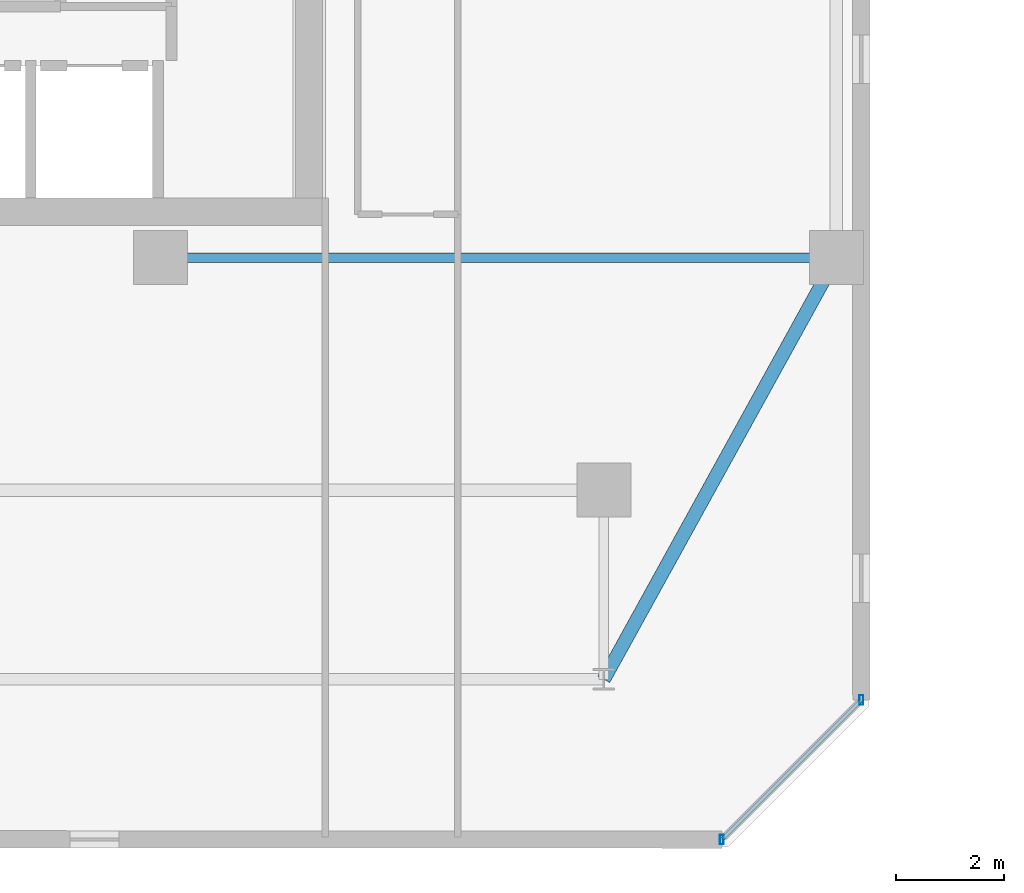
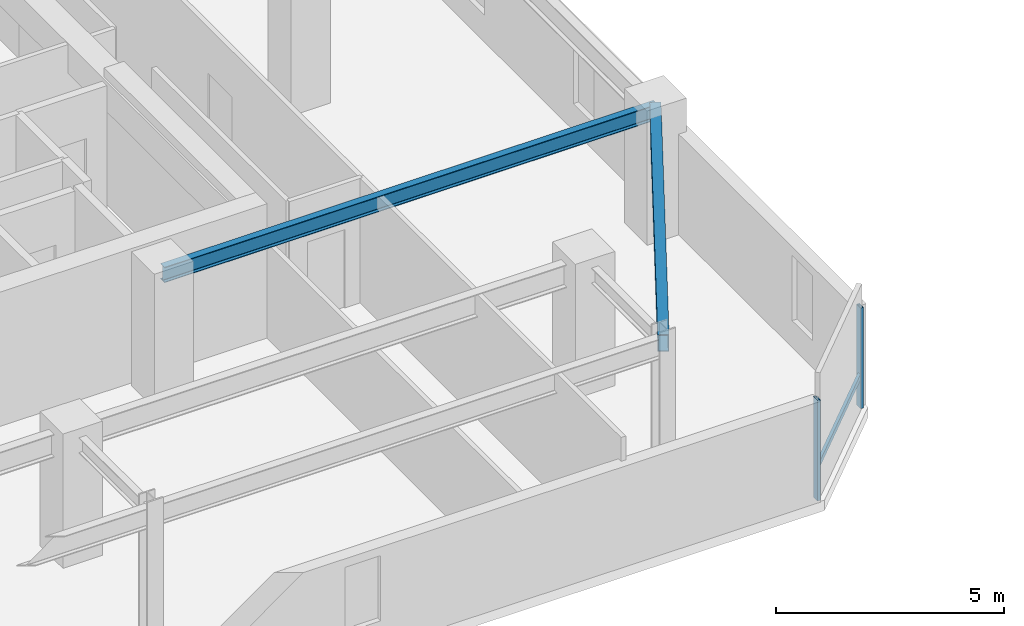
# One storey, part 5 of 31: 3 members, 2 beams, 1 element without a shape of its own.
"""IFC4 building model written with IfcOpenShell, lengths in metres."""

import ifcopenshell
import ifcopenshell.guid

model = None  # the IFC model being written
_history = None  # IfcOwnerHistory: only IFC2X3 demands one
_inside = {}  # id of a spatial element -> (the spatial element, [elements in it])
_under = {}  # id of a project, library or spatial element -> (it, [spatial elements below it])
_declared = {}  # id of a project -> (the project, [libraries it declares])
_typed = {}  # id of a type object -> (the type object, [elements of that type])
_made_of = {}  # id of a material, layer set ... -> (it, [elements and type objects made of it])


def new_model(schema):
    """Start an empty IFC model of exactly this schema.

    Asked for "IFC4X3", IfcOpenShell would pick the latest addendum, in which some entities
    have other attributes; the version numbers below select the first issue.
    IFC2X3 requires an IfcOwnerHistory on every rooted entity: one is made here for all.
    """
    global model, _history
    if schema == "IFC4X3":
        model = ifcopenshell.file(schema_version=(4, 3, 0, 0))
    else:
        model = ifcopenshell.file(schema=schema)
    _inside.clear()
    _under.clear()
    _declared.clear()
    _typed.clear()
    _made_of.clear()
    _history = None
    if model.schema == "IFC2X3":
        org = make("IfcOrganization", Name="unknown")
        user = make(
            "IfcPersonAndOrganization",
            ThePerson=make("IfcPerson", FamilyName="unknown"),
            TheOrganization=org,
        )
        app = make(
            "IfcApplication",
            ApplicationDeveloper=org,
            Version="unknown",
            ApplicationFullName="unknown",
            ApplicationIdentifier="unknown",
        )
        _history = make(
            "IfcOwnerHistory",
            OwningUser=user,
            OwningApplication=app,
            ChangeAction="ADDED",
            CreationDate=0,
        )
    return model


def make(cls, **values):
    """One entity of the class cls with the attributes given. An attribute that is None is left unset."""
    return model.create_entity(
        cls, **{name: value for name, value in values.items() if value is not None}
    )


def rooted(cls, **values):
    """An entity with a GlobalId (a new one), such as an element, a storey or a relation."""
    return make(cls, GlobalId=ifcopenshell.guid.new(), OwnerHistory=_history, **values)


def si_unit(unit_type, name, prefix=None):
    """IfcSIUnit, for example si_unit("LENGTHUNIT", "METRE", prefix="MILLI")."""
    return make("IfcSIUnit", UnitType=unit_type, Prefix=prefix, Name=name)


def assignment(units):
    """IfcUnitAssignment: the units of a project."""
    return None if units is None else make("IfcUnitAssignment", Units=units)


def point(xyz):
    """IfcCartesianPoint."""
    return None if xyz is None else make("IfcCartesianPoint", Coordinates=xyz)


def direction(xyz):
    """IfcDirection."""
    return None if xyz is None else make("IfcDirection", DirectionRatios=xyz)


def frame(location, z_axis=None, x_axis=None):
    """IfcAxis2Placement3D, a coordinate frame: its origin and axes. An axis left out is left unset."""
    return make(
        "IfcAxis2Placement3D",
        Location=point(location),
        Axis=direction(z_axis),
        RefDirection=direction(x_axis),
    )


def frame_2d(location, x_axis=None):
    """IfcAxis2Placement2D, a coordinate frame in the plane: its origin and x axis."""
    return make(
        "IfcAxis2Placement2D", Location=point(location), RefDirection=direction(x_axis)
    )


def origin():
    """The frame at (0, 0, 0) with its axes left unset."""
    return frame((0.0, 0.0, 0.0))


def origin_2d():
    """The frame at (0, 0) in the plane with its x axis left unset."""
    return frame_2d((0.0, 0.0))


def place(relative_to, where):
    """IfcLocalPlacement: puts the frame where relative to a parent placement (None: the world)."""
    return make(
        "IfcLocalPlacement", PlacementRelTo=relative_to, RelativePlacement=where
    )


def context(
    kind, dimensions, precision=None, world=None, true_north=None, identifier=None
):
    """IfcGeometricRepresentationContext, for example the 3D "Model" context."""
    return make(
        "IfcGeometricRepresentationContext",
        ContextIdentifier=identifier,
        ContextType=kind,
        CoordinateSpaceDimension=dimensions,
        Precision=precision,
        WorldCoordinateSystem=world,
        TrueNorth=true_north,
    )


def subcontext(parent, identifier, kind, view, scale=None):
    """IfcGeometricRepresentationSubContext, for example "Body" below "Model"."""
    return make(
        "IfcGeometricRepresentationSubContext",
        ContextIdentifier=identifier,
        ContextType=kind,
        ParentContext=parent,
        TargetScale=scale,
        TargetView=view,
    )


def project(units=None, contexts=None):
    """IfcProject with its units and contexts."""
    return rooted(
        "IfcProject",
        Name="project",
        RepresentationContexts=contexts,
        UnitsInContext=assignment(units),
    )


def spatial(cls, under=None, at=None, **own):
    """A site, building, storey or space (cls), placed at a placement, below another one or the project."""
    s = rooted(cls, ObjectPlacement=at, **own)
    if under is not None:
        _under.setdefault(under.id(), (under, []))[1].append(s)
    return s


def profile(cls, at=None, kind="AREA", **sizes):
    """A parametric profile (cls). Its sizes go by their IFC names, for example OverallWidth=200.0."""
    return make(cls, ProfileType=kind, Position=at, **sizes)


def hollow_rectangle(**sizes):
    """IfcRectangleHollowProfileDef."""
    return profile("IfcRectangleHollowProfileDef", **sizes)


def i_section(**sizes):
    """IfcIShapeProfileDef."""
    return profile("IfcIShapeProfileDef", **sizes)


def extrude(swept, where, along, depth):
    """IfcExtrudedAreaSolid: the profile swept, set in the frame where, extruded along a direction by depth."""
    return make(
        "IfcExtrudedAreaSolid",
        SweptArea=swept,
        Position=where,
        ExtrudedDirection=direction(along),
        Depth=depth,
    )


def shape(context_of_items, identifier, shape_type, items):
    """IfcShapeRepresentation: the items that make up one representation, for example the "Body"."""
    return make(
        "IfcShapeRepresentation",
        ContextOfItems=context_of_items,
        RepresentationIdentifier=identifier,
        RepresentationType=shape_type,
        Items=items,
    )


def material(Name=None, Category=None):
    """IfcMaterial."""
    return make("IfcMaterial", Name=Name, Category=Category)


def material_profile(
    of_material, cross_section, Name=None, Category=None, Priority=None
):
    """IfcMaterialProfile: a cross section and its material."""
    return make(
        "IfcMaterialProfile",
        Name=Name,
        Material=of_material,
        Profile=cross_section,
        Priority=Priority,
        Category=Category,
    )


def profile_set(profiles, Name=None, composite=None):
    """IfcMaterialProfileSet."""
    return make(
        "IfcMaterialProfileSet",
        Name=Name,
        MaterialProfiles=profiles,
        CompositeProfile=composite,
    )


def made_of(thing, what):
    """Note that an element or type object is made of a material, layer set ...; save() writes the relation."""
    if what is not None:
        _made_of.setdefault(what.id(), (what, []))[1].append(thing)
    return thing


def type_object(cls, material=None, **own):
    """A type object (cls), such as IfcWallType, which elements share."""
    return made_of(rooted(cls, **own), material)


def element(
    cls,
    number,
    at=None,
    inside=None,
    cuts=None,
    type_object=None,
    material=None,
    context=None,
    identifier="Body",
    shape_type=None,
    held_by="IfcProductDefinitionShape",
    body=None,
    shapes=None,
    **own,
):
    """One element of the class cls, such as IfcWall. Its Tag is "e" and its number.

    at: its placement. inside: the storey or other place that contains it. cuts: it is an
    opening in that element (IfcRelVoidsElement). A single representation is given by context,
    identifier, shape_type and body (its items); several are given by shapes. held_by: the class
    of the entity that holds the representations. save() writes the other relations.
    """
    e = rooted(cls, Tag="e%d" % number, ObjectPlacement=at, **own)
    if body is not None:
        shapes = [shape(context, identifier, shape_type, body)]
    if shapes is not None:
        e.Representation = make(held_by, Representations=shapes)
    if inside is not None:
        _inside.setdefault(inside.id(), (inside, []))[1].append(e)
    if cuts is not None:
        rooted(
            "IfcRelVoidsElement", RelatingBuildingElement=cuts, RelatedOpeningElement=e
        )
    if type_object is not None:
        _typed.setdefault(type_object.id(), (type_object, []))[1].append(e)
    return made_of(e, material)


def aggregate(whole, parts):
    """IfcRelAggregates: a whole, such as a stair, and the parts it consists of."""
    return rooted("IfcRelAggregates", RelatingObject=whole, RelatedObjects=parts)


def save(model, path):
    """Write the relations noted so far, then the file.

    IfcRelAggregates (storeys below a building ...), IfcRelContainedInSpatialStructure (elements
    in a storey), IfcRelDefinesByType, IfcRelAssociatesMaterial and IfcRelDeclares: one each for
    every whole, place, type object, material and project.
    """
    for whole, parts in _under.values():
        aggregate(whole, parts)
    for where, things in _inside.values():
        rooted(
            "IfcRelContainedInSpatialStructure",
            RelatedElements=things,
            RelatingStructure=where,
        )
    for kind, things in _typed.values():
        rooted("IfcRelDefinesByType", RelatedObjects=things, RelatingType=kind)
    for what, things in _made_of.values():
        rooted("IfcRelAssociatesMaterial", RelatedObjects=things, RelatingMaterial=what)
    for by, libraries in _declared.values():
        rooted("IfcRelDeclares", RelatingContext=by, RelatedDefinitions=libraries)
    model.write(path)


model = new_model("IFC4")

# Units and contexts
model_context = context("Model", 3, precision=1e-05, world=origin(), true_north=direction((0.0, 1.0)))
body_context = subcontext(model_context, "Body", "Model", "MODEL_VIEW")
ifc_project = project(units=[si_unit("LENGTHUNIT", "METRE"), si_unit("AREAUNIT", "SQUARE_METRE"), si_unit("VOLUMEUNIT", "CUBIC_METRE"), si_unit("PLANEANGLEUNIT", "RADIAN"), si_unit("MASSUNIT", "GRAM", prefix="KILO")], contexts=[model_context])

# Site, building, storey
site_placement = place(None, origin())
site = spatial("IfcSite", under=ifc_project, at=site_placement, CompositionType="ELEMENT")
building_placement = place(site_placement, origin())
building = spatial("IfcBuilding", under=site, at=building_placement, Name="Thornwick Lancets Civic Towers", CompositionType="ELEMENT")
storey_placement = place(building_placement, frame((0.0, 0.0, 233.10009765625)))
storey = spatial("IfcBuildingStorey", under=building, at=storey_placement, Name="L62", CompositionType="ELEMENT", Elevation=233.10009765625)

# Beams
ifc_material_1 = material(Name="Steel S355JR", Category="steel")
ifc_material_profile_1 = material_profile(ifc_material_1, i_section(OverallWidth=0.179443359375, OverallDepth=0.412841796875, WebThickness=0.009521484375, FlangeThickness=0.01611328125, FilletRadius=0.01025390625, at=origin_2d()), Name="UKB 406x178x74")
ifc_profile_set_1 = profile_set([ifc_material_profile_1], Name="Steel S355JR")
beam_type_1 = type_object("IfcBeamType", Name="BM_JOIST_406_74", PredefinedType="JOIST", material=ifc_profile_set_1)
beam_1_placement = place(storey_placement, frame((30.300048828125, 14.0, 3.153564453125), z_axis=(1.0, 0.0, 0.0), x_axis=(0.0, 1.0, 0.0)))
element("IfcBeam", 1, at=beam_1_placement, inside=storey, type_object=beam_type_1, Name="BM-RADIN-L62-A04", PredefinedType="JOIST", context=body_context, shape_type="SweptSolid", body=[
    extrude(i_section(OverallWidth=0.179443359375, OverallDepth=0.412841796875, WebThickness=0.009521484375, FlangeThickness=0.01611328125, FilletRadius=0.01025390625, at=origin_2d()), origin(), (0.0, 0.0, 1.0), 12.5),
])
ifc_material_profile_2 = material_profile(ifc_material_1, hollow_rectangle(XDim=0.25, YDim=0.449951171875, WallThickness=0.01611328125, at=origin_2d()), Name="RHS 450x250x16")
ifc_profile_set_2 = profile_set([ifc_material_profile_2], Name="Steel S355JR")
beam_type_2 = type_object("IfcBeamType", Name="BM_RING_RHS450", PredefinedType="BEAM", material=ifc_profile_set_2)
beam_2_placement = place(storey_placement, frame((38.5, 6.199951171875, 3.135009765625), z_axis=(0.482782395749, 0.875740348708, 0.0), x_axis=(-0.875740348708, 0.482782395749, 0.0)))
element("IfcBeam", 2, at=beam_2_placement, inside=storey, type_object=beam_type_2, Name="BM-CHAMF-L62-A-C0", PredefinedType="BEAM", context=body_context, shape_type="SweptSolid", body=[
    extrude(hollow_rectangle(XDim=0.25, YDim=0.449951171875, WallThickness=0.01611328125, at=origin_2d()), origin(), (0.0, 0.0, 1.0), 8.90673828125),
])

# Curtain wall, members
ifc_material_2 = material(Name="High-zone chamfered-corner unitised glass curtain wall", Category="glass")
curtain_wall_type = type_object("IfcCurtainWallType", Name="CW_SYS_05", PredefinedType="NOTDEFINED", material=ifc_material_2)
curtain_wall_placement = place(storey_placement, origin())
curtain_wall = element("IfcCurtainWall", 3, at=curtain_wall_placement, inside=storey, type_object=curtain_wall_type, Name="L62 Curtain Wall CW-L62-A-E1", PredefinedType="NOTDEFINED")
ifc_material_3 = material(Name="Thermally broken bronze aluminium S355", Category="steel")
ifc_material_profile_3 = material_profile(ifc_material_3, hollow_rectangle(XDim=0.074951171875, YDim=0.179931640625, WallThickness=0.006103515625, at=origin_2d()), Name="RHS 180x75x6")
ifc_profile_set_3 = profile_set([ifc_material_profile_3], Name="Thermally broken bronze aluminium S355")
member_type_1 = type_object("IfcMemberType", Name="CW_MUL_180", PredefinedType="MULLION", material=ifc_profile_set_3)
member_1_placement = place(storey_placement, frame((40.681396484375, 3.2353515625, 0.0), z_axis=(0.0, 0.0, 1.0), x_axis=(1.0, 0.0, 0.0)))
member_1 = element("IfcMember", 4, at=member_1_placement, type_object=member_type_1, Name="CW-L62-A-E1 Mullion 0", PredefinedType="MULLION", context=body_context, shape_type="SweptSolid", body=[
    extrude(hollow_rectangle(XDim=0.074951171875, YDim=0.179931640625, WallThickness=0.006103515625, at=origin_2d()), origin(), (0.0, 0.0, 1.0), 2.699951171875),
])
member_2_placement = place(storey_placement, frame((43.2646484375, 5.818603515625, 0.0), z_axis=(0.0, 0.0, 1.0), x_axis=(1.0, 0.0, 0.0)))
member_2 = element("IfcMember", 5, at=member_2_placement, type_object=member_type_1, Name="CW-L62-A-E1 Mullion 1", PredefinedType="MULLION", context=body_context, shape_type="SweptSolid", body=[
    extrude(hollow_rectangle(XDim=0.074951171875, YDim=0.179931640625, WallThickness=0.006103515625, at=origin_2d()), origin(), (0.0, 0.0, 1.0), 2.699951171875),
])
ifc_material_profile_4 = material_profile(ifc_material_3, hollow_rectangle(XDim=0.074951171875, YDim=0.14990234375, WallThickness=0.0048828125, at=origin_2d()), Name="RHS 150x75x5")
ifc_profile_set_4 = profile_set([ifc_material_profile_4], Name="Thermally broken bronze aluminium S355")
member_type_2 = type_object("IfcMemberType", Name="CW_TRN_150", PredefinedType="USERDEFINED", material=ifc_profile_set_4)
member_3_placement = place(storey_placement, frame((40.695556640625, 3.24951171875, 0.849853515625), z_axis=(0.707106781187, 0.707106781187, 0.0), x_axis=(-0.707106781187, 0.707106781187, 0.0)))
member_3 = element("IfcMember", 6, at=member_3_placement, type_object=member_type_2, Name="CW-L62-A-E1 Transom 0", ObjectType="TRANSOM", PredefinedType="USERDEFINED", context=body_context, shape_type="SweptSolid", body=[
    extrude(hollow_rectangle(XDim=0.074951171875, YDim=0.14990234375, WallThickness=0.0048828125, at=origin_2d()), origin(), (0.0, 0.0, 1.0), 3.61328125),
])
aggregate(curtain_wall, [member_1, member_2, member_3])

save(model, "model.ifc")
